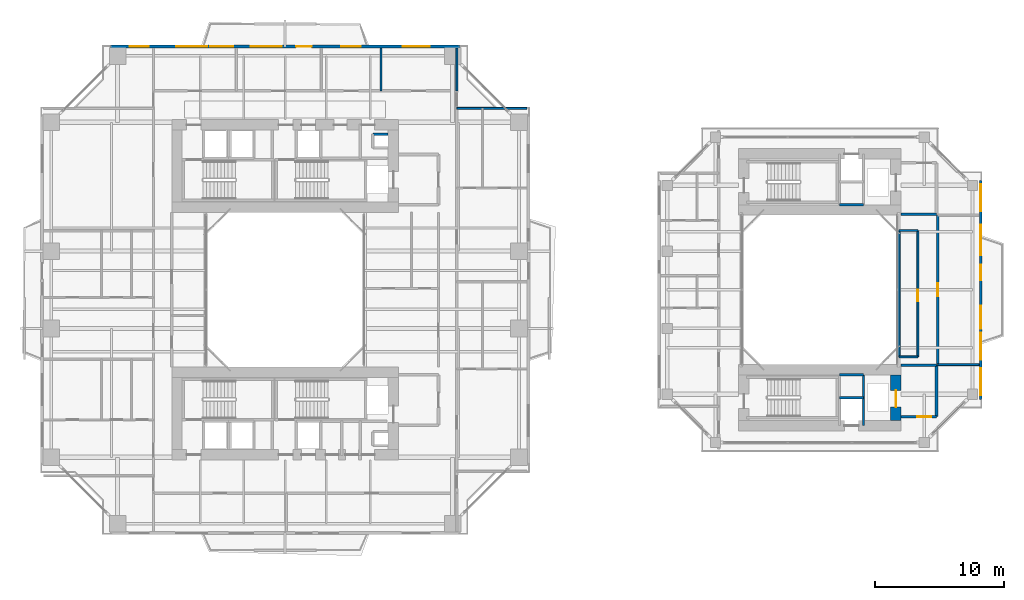
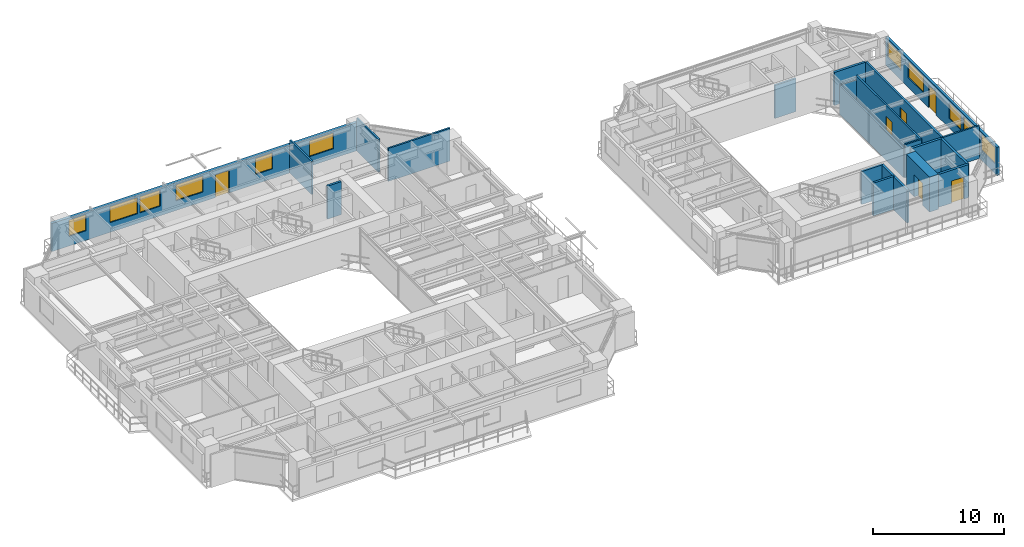
# One storey, part 17 of 23: 21 walls, 11 windows, 6 doors, 17 openings.
"""IFC4 building model written with IfcOpenShell, lengths in metres."""

from ifc_helpers import new_model, si_unit, direction, frame, frame_2d, origin, place, context, subcontext, project, spatial, rectangle, extrude, source, transform, mapped, material, layer, layer_set, type_object, element, fill, save


model = new_model("IFC4")

# Units and contexts
model_context = context("Model", 3, precision=1e-05, world=origin(), true_north=direction((0.0, 1.0)))
body_context = subcontext(model_context, "Body", "Model", "MODEL_VIEW")
ifc_project = project(units=[si_unit("LENGTHUNIT", "METRE"), si_unit("AREAUNIT", "SQUARE_METRE"), si_unit("VOLUMEUNIT", "CUBIC_METRE"), si_unit("PLANEANGLEUNIT", "RADIAN"), si_unit("MASSUNIT", "GRAM", prefix="KILO"), si_unit("THERMODYNAMICTEMPERATUREUNIT", "KELVIN"), si_unit("POWERUNIT", "WATT")], contexts=[model_context])

# Site, building, storey
site_placement = place(None, origin())
site = spatial("IfcSite", under=ifc_project, at=site_placement, CompositionType="ELEMENT")
building_placement = place(site_placement, origin())
building = spatial("IfcBuilding", under=site, at=building_placement, Name="Qiaomeng Ring Towers", CompositionType="ELEMENT")
storey_placement = place(building_placement, frame((0.0, 0.0, 76.25)))
storey = spatial("IfcBuildingStorey", under=building, at=storey_placement, Name="L21", CompositionType="ELEMENT", Elevation=76.25)

# Wall, openings, windows, door
ifc_material_1 = material(Name="Precast concrete C40", Category="concrete")
ifc_layer_1 = layer(ifc_material_1, 0.25, Name="Precast concrete C40")
ifc_layer_set_1 = layer_set([ifc_layer_1], Name="Precast concrete C40")
wall_type_1 = type_object("IfcWallType", Name="ARC-WL-EW1", PredefinedType="STANDARD", material=ifc_layer_set_1)
wall_1_placement = place(storey_placement, frame((5.449951171875, 41.875, 0.0), z_axis=(0.0, 0.0, 1.0), x_axis=(1.0, 0.0, 0.0)))
wall_1 = element("IfcWall", 1, at=wall_1_placement, inside=storey, type_object=wall_type_1, Name="L21 Tower 1 N Exterior Wall", PredefinedType="STANDARD", context=body_context, shape_type="SweptSolid", body=[
    extrude(rectangle(XDim=27.10009765625, YDim=0.25, at=frame_2d((13.550048828125, 0.0))), origin(), (0.0, 0.0, 1.0), 2.610107421875),
])
opening_1_placement = place(wall_1_placement, frame((14.39990234375, 0.0, 0.0)))
opening_1 = element("IfcOpeningElement", 2, at=opening_1_placement, cuts=wall_1, Name="Opening BD1", PredefinedType="OPENING", context=body_context, shape_type="SweptSolid", body=[
    extrude(rectangle(XDim=1.199951171875, YDim=2.10009765625, at=frame_2d((0.60009765625, 1.050048828125))), frame((0.0, 0.135009765625, 0.0), z_axis=(0.0, -1.0, 0.0), x_axis=(1.0, 0.0, 0.0)), (0.0, 0.0, 1.0), 0.27001953125),
])
opening_2_placement = place(wall_1_placement, frame((1.47998046875, 0.0, 0.89990234375)))
opening_2 = element("IfcOpeningElement", 3, at=opening_2_placement, cuts=wall_1, Name="Opening WN2", PredefinedType="OPENING", context=body_context, shape_type="SweptSolid", body=[
    extrude(rectangle(XDim=1.5, YDim=1.5, at=frame_2d((0.75, 0.75))), frame((0.0, 0.135009765625, 0.0), z_axis=(0.0, -1.0, 0.0), x_axis=(1.0, 0.0, 0.0)), (0.0, 0.0, 1.0), 0.27001953125),
])
opening_3_placement = place(wall_1_placement, frame((7.724609375, 0.0, 0.89990234375)))
opening_3 = element("IfcOpeningElement", 4, at=opening_3_placement, cuts=wall_1, Name="Opening WN1", PredefinedType="OPENING", context=body_context, shape_type="SweptSolid", body=[
    extrude(rectangle(XDim=1.800048828125, YDim=1.5, at=frame_2d((0.89990234375, 0.75))), frame((0.0, 0.135009765625, 0.0), z_axis=(0.0, -1.0, 0.0), x_axis=(1.0, 0.0, 0.0)), (0.0, 0.0, 1.0), 0.27001953125),
])
opening_4_placement = place(wall_1_placement, frame((17.919921875, 0.0, 0.89990234375)))
opening_4 = element("IfcOpeningElement", 5, at=opening_4_placement, cuts=wall_1, Name="Opening WN2", PredefinedType="OPENING", context=body_context, shape_type="SweptSolid", body=[
    extrude(rectangle(XDim=1.5, YDim=1.5, at=frame_2d((0.75, 0.75))), frame((0.0, 0.135009765625, 0.0), z_axis=(0.0, -1.0, 0.0), x_axis=(1.0, 0.0, 0.0)), (0.0, 0.0, 1.0), 0.27001953125),
])
opening_5_placement = place(wall_1_placement, frame((22.6630859375, 0.0, 0.89990234375)))
opening_5 = element("IfcOpeningElement", 6, at=opening_5_placement, cuts=wall_1, Name="Opening WN4", PredefinedType="OPENING", context=body_context, shape_type="SweptSolid", body=[
    extrude(rectangle(XDim=2.10009765625, YDim=1.47998046875, at=frame_2d((1.050048828125, 0.739990234375))), frame((0.0, 0.135009765625, 0.0), z_axis=(0.0, -1.0, 0.0), x_axis=(1.0, 0.0, 0.0)), (0.0, 0.0, 1.0), 0.27001953125),
])
opening_6_placement = place(wall_1_placement, frame((5.114013671875, 0.0, 0.89990234375)))
opening_6 = element("IfcOpeningElement", 7, at=opening_6_placement, cuts=wall_1, Name="Opening WN6", PredefinedType="OPENING", context=body_context, shape_type="SweptSolid", body=[
    extrude(rectangle(XDim=2.39990234375, YDim=1.5, at=frame_2d((1.199951171875, 0.75))), frame((0.0, 0.135009765625, 0.0), z_axis=(0.0, -1.0, 0.0), x_axis=(1.0, 0.0, 0.0)), (0.0, 0.0, 1.0), 0.27001953125),
])
opening_7_placement = place(wall_1_placement, frame((10.892578125, 0.0, 0.89990234375)))
opening_7 = element("IfcOpeningElement", 8, at=opening_7_placement, cuts=wall_1, Name="Opening WN6", PredefinedType="OPENING", context=body_context, shape_type="SweptSolid", body=[
    extrude(rectangle(XDim=2.39990234375, YDim=1.5, at=frame_2d((1.199951171875, 0.75))), frame((0.0, 0.135009765625, 0.0), z_axis=(0.0, -1.0, 0.0), x_axis=(1.0, 0.0, 0.0)), (0.0, 0.0, 1.0), 0.27001953125),
])
ifc_material_2 = material(Name="Low-E dark-grey laminated double glazing", Category="glass")
window_type_1 = type_object("IfcWindowType", Name="ARC-WN-4", PartitioningType="TRIPLE_PANEL_VERTICAL", PredefinedType="WINDOW", material=ifc_material_2)
shared_shape_1 = source(origin(), body_context, "Body", "SweptSolid", [
    extrude(rectangle(XDim=2.10009765625, YDim=1.47998046875, at=frame_2d((1.050048828125, 0.739990234375))), frame((0.0, 0.030029296875, 0.0), z_axis=(0.0, -1.0, 0.0), x_axis=(1.0, 0.0, 0.0)), (0.0, 0.0, 1.0), 0.06005859375),
])
window_1_placement = place(opening_5_placement, origin())
window_1 = element("IfcWindow", 9, at=window_1_placement, inside=storey, type_object=window_type_1, Name="L21 Exterior Window WN4", OverallHeight=1.47998046875, OverallWidth=2.10009765625, PartitioningType="TRIPLE_PANEL_VERTICAL", PredefinedType="WINDOW", context=body_context, shape_type="MappedRepresentation", body=[
    mapped(shared_shape_1, transform((0.0, 0.0, 0.0), x_axis=(1.0, 0.0, 0.0), y_axis=(0.0, 1.0, 0.0), z_axis=(0.0, 0.0, 1.0), scale=1.0)),
])
fill(opening_5, window_1)
door_type_1 = type_object("IfcDoorType", Name="ARC-DR-BD1", OperationType="NOTDEFINED", PredefinedType="DOOR", material=ifc_material_2)
shared_shape_2 = source(origin(), body_context, "Body", "SweptSolid", [
    extrude(rectangle(XDim=1.199951171875, YDim=2.10009765625, at=frame_2d((0.60009765625, 1.050048828125))), frame((0.0, 0.02490234375, 0.0), z_axis=(0.0, -1.0, 0.0), x_axis=(1.0, 0.0, 0.0)), (0.0, 0.0, 1.0), 0.050048828125),
])
door_1_placement = place(opening_1_placement, origin())
door_1 = element("IfcDoor", 10, at=door_1_placement, inside=storey, type_object=door_type_1, Name="L21 N Balcony Glazed Door", OperationType="SINGLE_SWING_LEFT", OverallHeight=2.10009765625, OverallWidth=1.199951171875, PredefinedType="DOOR", context=body_context, shape_type="MappedRepresentation", body=[
    mapped(shared_shape_2, transform((0.0, 0.0, 0.0), x_axis=(1.0, 0.0, 0.0), y_axis=(0.0, 1.0, 0.0), z_axis=(0.0, 0.0, 1.0), scale=1.0)),
])
fill(opening_1, door_1)
window_type_2 = type_object("IfcWindowType", Name="ARC-WN-2", PartitioningType="DOUBLE_PANEL_VERTICAL", PredefinedType="WINDOW", material=ifc_material_2)
shared_shape_3 = source(origin(), body_context, "Body", "SweptSolid", [
    extrude(rectangle(XDim=1.5, YDim=1.5, at=frame_2d((0.75, 0.75))), frame((0.0, 0.030029296875, 0.0), z_axis=(0.0, -1.0, 0.0), x_axis=(1.0, 0.0, 0.0)), (0.0, 0.0, 1.0), 0.06005859375),
])
window_2_placement = place(opening_2_placement, origin())
window_2 = element("IfcWindow", 11, at=window_2_placement, inside=storey, type_object=window_type_2, Name="L21 Exterior Window WN6", OverallHeight=1.5, OverallWidth=1.5, PartitioningType="TRIPLE_PANEL_VERTICAL", PredefinedType="WINDOW", context=body_context, shape_type="MappedRepresentation", body=[
    mapped(shared_shape_3, transform((0.0, 0.0, 0.0), x_axis=(1.0, 0.0, 0.0), y_axis=(0.0, 1.0, 0.0), z_axis=(0.0, 0.0, 1.0), scale=1.0)),
])
fill(opening_2, window_2)
window_3_placement = place(opening_4_placement, origin())
window_3 = element("IfcWindow", 12, at=window_3_placement, inside=storey, type_object=window_type_2, Name="L21 Exterior Window WN2", OverallHeight=1.5, OverallWidth=1.5, PartitioningType="DOUBLE_PANEL_VERTICAL", PredefinedType="WINDOW", context=body_context, shape_type="MappedRepresentation", body=[
    mapped(shared_shape_3, transform((0.0, 0.0, 0.0), x_axis=(1.0, 0.0, 0.0), y_axis=(0.0, 1.0, 0.0), z_axis=(0.0, 0.0, 1.0), scale=1.0)),
])
fill(opening_4, window_3)
window_type_3 = type_object("IfcWindowType", Name="ARC-WN-6", PartitioningType="TRIPLE_PANEL_VERTICAL", PredefinedType="WINDOW", material=ifc_material_2)
shared_shape_4 = source(origin(), body_context, "Body", "SweptSolid", [
    extrude(rectangle(XDim=2.39990234375, YDim=1.5, at=frame_2d((1.199951171875, 0.75))), frame((0.0, 0.030029296875, 0.0), z_axis=(0.0, -1.0, 0.0), x_axis=(1.0, 0.0, 0.0)), (0.0, 0.0, 1.0), 0.06005859375),
])
window_4_placement = place(opening_6_placement, origin())
window_4 = element("IfcWindow", 13, at=window_4_placement, inside=storey, type_object=window_type_3, Name="L21 Exterior Window WN6", OverallHeight=1.5, OverallWidth=2.39990234375, PartitioningType="TRIPLE_PANEL_VERTICAL", PredefinedType="WINDOW", context=body_context, shape_type="MappedRepresentation", body=[
    mapped(shared_shape_4, transform((0.0, 0.0, 0.0), x_axis=(1.0, 0.0, 0.0), y_axis=(0.0, 1.0, 0.0), z_axis=(0.0, 0.0, 1.0), scale=1.0)),
])
fill(opening_6, window_4)
window_5_placement = place(opening_7_placement, origin())
window_5 = element("IfcWindow", 14, at=window_5_placement, inside=storey, type_object=window_type_3, Name="L21 Exterior Window WN6", OverallHeight=1.5, OverallWidth=2.39990234375, PartitioningType="TRIPLE_PANEL_VERTICAL", PredefinedType="WINDOW", context=body_context, shape_type="MappedRepresentation", body=[
    mapped(shared_shape_4, transform((0.0, 0.0, 0.0), x_axis=(1.0, 0.0, 0.0), y_axis=(0.0, 1.0, 0.0), z_axis=(0.0, 0.0, 1.0), scale=1.0)),
])
fill(opening_7, window_5)
window_type_4 = type_object("IfcWindowType", Name="ARC-WN-1", PartitioningType="DOUBLE_PANEL_VERTICAL", PredefinedType="WINDOW", material=ifc_material_2)
shared_shape_5 = source(origin(), body_context, "Body", "SweptSolid", [
    extrude(rectangle(XDim=1.800048828125, YDim=1.5, at=frame_2d((0.89990234375, 0.75))), frame((0.0, 0.030029296875, 0.0), z_axis=(0.0, -1.0, 0.0), x_axis=(1.0, 0.0, 0.0)), (0.0, 0.0, 1.0), 0.06005859375),
])
window_6_placement = place(opening_3_placement, origin())
window_6 = element("IfcWindow", 15, at=window_6_placement, inside=storey, type_object=window_type_4, Name="L21 Exterior Window WN1", OverallHeight=1.5, OverallWidth=1.800048828125, PartitioningType="DOUBLE_PANEL_VERTICAL", PredefinedType="WINDOW", context=body_context, shape_type="MappedRepresentation", body=[
    mapped(shared_shape_5, transform((0.0, 0.0, 0.0), x_axis=(1.0, 0.0, 0.0), y_axis=(0.0, 1.0, 0.0), z_axis=(0.0, 0.0, 1.0), scale=1.0)),
])
fill(opening_3, window_6)

ifc_layer_2 = layer(ifc_material_1, 0.219970703125, Name="Precast concrete C40")
ifc_layer_set_2 = layer_set([ifc_layer_2], Name="Precast concrete C40")
wall_type_2 = type_object("IfcWallType", Name="ARC-WL-EW2", PredefinedType="STANDARD", material=ifc_layer_set_2)
wall_2_placement = place(storey_placement, frame((72.989990234375, 14.5, 0.0), z_axis=(0.0, 0.0, 1.0), x_axis=(0.0, 1.0, 0.0)))
wall_2 = element("IfcWall", 16, at=wall_2_placement, inside=storey, type_object=wall_type_2, Name="L21 Companion East Wall", PredefinedType="STANDARD", context=body_context, shape_type="SweptSolid", body=[
    extrude(rectangle(XDim=17.0, YDim=0.219970703125, at=frame_2d((8.5, 0.0))), origin(), (0.0, 0.0, 1.0), 2.610107421875),
])
opening_8_placement = place(wall_2_placement, frame((9.25, 0.0, 0.0)))
opening_8 = element("IfcOpeningElement", 17, at=opening_8_placement, cuts=wall_2, Name="Opening BD1", PredefinedType="OPENING", context=body_context, shape_type="SweptSolid", body=[
    extrude(rectangle(XDim=1.199951171875, YDim=2.10009765625, at=frame_2d((0.60009765625, 1.050048828125))), frame((0.0, 0.119873046875, 0.0), z_axis=(0.0, -1.0, 0.0), x_axis=(1.0, 0.0, 0.0)), (0.0, 0.0, 1.0), 0.239990234375),
])
opening_9_placement = place(wall_2_placement, frame((0.3076171875, 0.0, 0.89990234375)))
opening_9 = element("IfcOpeningElement", 18, at=opening_9_placement, cuts=wall_2, Name="Opening WN4", PredefinedType="OPENING", context=body_context, shape_type="SweptSolid", body=[
    extrude(rectangle(XDim=2.10009765625, YDim=1.5, at=frame_2d((1.050048828125, 0.75))), frame((0.0, 0.119873046875, 0.0), z_axis=(0.0, -1.0, 0.0), x_axis=(1.0, 0.0, 0.0)), (0.0, 0.0, 1.0), 0.239990234375),
])
opening_10_placement = place(wall_2_placement, frame((5.47509765625, 0.0, 0.89990234375)))
opening_10 = element("IfcOpeningElement", 19, at=opening_10_placement, cuts=wall_2, Name="Opening WN1", PredefinedType="OPENING", context=body_context, shape_type="SweptSolid", body=[
    extrude(rectangle(XDim=1.800048828125, YDim=1.449951171875, at=frame_2d((0.89990234375, 0.72509765625))), frame((0.0, 0.119873046875, 0.0), z_axis=(0.0, -1.0, 0.0), x_axis=(1.0, 0.0, 0.0)), (0.0, 0.0, 1.0), 0.239990234375),
])
opening_11_placement = place(wall_2_placement, frame((14.592529296875, 0.0, 0.89990234375)))
opening_11 = element("IfcOpeningElement", 20, at=opening_11_placement, cuts=wall_2, Name="Opening WN4", PredefinedType="OPENING", context=body_context, shape_type="SweptSolid", body=[
    extrude(rectangle(XDim=2.10009765625, YDim=1.5, at=frame_2d((1.050048828125, 0.75))), frame((0.0, 0.119873046875, 0.0), z_axis=(0.0, -1.0, 0.0), x_axis=(1.0, 0.0, 0.0)), (0.0, 0.0, 1.0), 0.239990234375),
])
opening_12_placement = place(wall_2_placement, frame((3.054931640625, 0.0, 0.89990234375)))
opening_12 = element("IfcOpeningElement", 21, at=opening_12_placement, cuts=wall_2, Name="Opening WN4", PredefinedType="OPENING", context=body_context, shape_type="SweptSolid", body=[
    extrude(rectangle(XDim=2.10009765625, YDim=1.5, at=frame_2d((1.050048828125, 0.75))), frame((0.0, 0.119873046875, 0.0), z_axis=(0.0, -1.0, 0.0), x_axis=(1.0, 0.0, 0.0)), (0.0, 0.0, 1.0), 0.239990234375),
])
opening_13_placement = place(wall_2_placement, frame((11.16748046875, 0.0, 0.89990234375)))
opening_13 = element("IfcOpeningElement", 22, at=opening_13_placement, cuts=wall_2, Name="Opening WN6", PredefinedType="OPENING", context=body_context, shape_type="SweptSolid", body=[
    extrude(rectangle(XDim=2.39990234375, YDim=1.5, at=frame_2d((1.199951171875, 0.75))), frame((0.0, 0.119873046875, 0.0), z_axis=(0.0, -1.0, 0.0), x_axis=(1.0, 0.0, 0.0)), (0.0, 0.0, 1.0), 0.239990234375),
])
shared_shape_6 = source(origin(), body_context, "Body", "SweptSolid", [
    extrude(rectangle(XDim=2.10009765625, YDim=1.5, at=frame_2d((1.050048828125, 0.75))), frame((0.0, 0.030029296875, 0.0), z_axis=(0.0, -1.0, 0.0), x_axis=(1.0, 0.0, 0.0)), (0.0, 0.0, 1.0), 0.06005859375),
])
window_7_placement = place(opening_9_placement, origin())
window_7 = element("IfcWindow", 23, at=window_7_placement, inside=storey, type_object=window_type_1, Name="L21 Exterior Window WN6", OverallHeight=1.5, OverallWidth=2.10009765625, PartitioningType="TRIPLE_PANEL_VERTICAL", PredefinedType="WINDOW", context=body_context, shape_type="MappedRepresentation", body=[
    mapped(shared_shape_6, transform((0.0, 0.0, 0.0), x_axis=(1.0, 0.0, 0.0), y_axis=(0.0, 1.0, 0.0), z_axis=(0.0, 0.0, 1.0), scale=1.0)),
])
fill(opening_9, window_7)
window_8_placement = place(opening_11_placement, origin())
window_8 = element("IfcWindow", 24, at=window_8_placement, inside=storey, type_object=window_type_1, Name="L21 Exterior Window WN4", OverallHeight=1.5, OverallWidth=2.10009765625, PartitioningType="TRIPLE_PANEL_VERTICAL", PredefinedType="WINDOW", context=body_context, shape_type="MappedRepresentation", body=[
    mapped(shared_shape_6, transform((0.0, 0.0, 0.0), x_axis=(1.0, 0.0, 0.0), y_axis=(0.0, 1.0, 0.0), z_axis=(0.0, 0.0, 1.0), scale=1.0)),
])
fill(opening_11, window_8)
window_9_placement = place(opening_12_placement, origin())
window_9 = element("IfcWindow", 25, at=window_9_placement, inside=storey, type_object=window_type_1, Name="L21 Exterior Window WN4", OverallHeight=1.5, OverallWidth=2.10009765625, PartitioningType="TRIPLE_PANEL_VERTICAL", PredefinedType="WINDOW", context=body_context, shape_type="MappedRepresentation", body=[
    mapped(shared_shape_6, transform((0.0, 0.0, 0.0), x_axis=(1.0, 0.0, 0.0), y_axis=(0.0, 1.0, 0.0), z_axis=(0.0, 0.0, 1.0), scale=1.0)),
])
fill(opening_12, window_9)
shared_shape_7 = source(origin(), body_context, "Body", "SweptSolid", [
    extrude(rectangle(XDim=1.800048828125, YDim=1.449951171875, at=frame_2d((0.89990234375, 0.72509765625))), frame((0.0, 0.030029296875, 0.0), z_axis=(0.0, -1.0, 0.0), x_axis=(1.0, 0.0, 0.0)), (0.0, 0.0, 1.0), 0.06005859375),
])
window_10_placement = place(opening_10_placement, origin())
window_10 = element("IfcWindow", 26, at=window_10_placement, inside=storey, type_object=window_type_4, Name="L21 Exterior Window WN1", OverallHeight=1.449951171875, OverallWidth=1.800048828125, PartitioningType="DOUBLE_PANEL_VERTICAL", PredefinedType="WINDOW", context=body_context, shape_type="MappedRepresentation", body=[
    mapped(shared_shape_7, transform((0.0, 0.0, 0.0), x_axis=(1.0, 0.0, 0.0), y_axis=(0.0, 1.0, 0.0), z_axis=(0.0, 0.0, 1.0), scale=1.0)),
])
fill(opening_10, window_10)
door_2_placement = place(opening_8_placement, origin())
door_2 = element("IfcDoor", 27, at=door_2_placement, inside=storey, type_object=door_type_1, Name="L21 Companion East Balcony Door", OperationType="SINGLE_SWING_LEFT", OverallHeight=2.10009765625, OverallWidth=1.199951171875, PredefinedType="DOOR", context=body_context, shape_type="MappedRepresentation", body=[
    mapped(shared_shape_2, transform((0.0, 0.0, 0.0), x_axis=(1.0, 0.0, 0.0), y_axis=(0.0, 1.0, 0.0), z_axis=(0.0, 0.0, 1.0), scale=1.0)),
])
fill(opening_8, door_2)
window_11_placement = place(opening_13_placement, origin())
window_11 = element("IfcWindow", 28, at=window_11_placement, inside=storey, type_object=window_type_3, Name="L21 Exterior Window WN6", OverallHeight=1.5, OverallWidth=2.39990234375, PartitioningType="TRIPLE_PANEL_VERTICAL", PredefinedType="WINDOW", context=body_context, shape_type="MappedRepresentation", body=[
    mapped(shared_shape_4, transform((0.0, 0.0, 0.0), x_axis=(1.0, 0.0, 0.0), y_axis=(0.0, 1.0, 0.0), z_axis=(0.0, 0.0, 1.0), scale=1.0)),
])
fill(opening_13, window_11)

# Walls
ifc_material_3 = material(Name="Autoclaved aerated concrete block", Category="concrete")
ifc_layer_3 = layer(ifc_material_3, 0.199951171875, Name="Autoclaved aerated concrete block")
ifc_layer_set_3 = layer_set([ifc_layer_3], Name="Autoclaved aerated concrete block")
wall_type_3 = type_object("IfcWallType", Name="ARC-WL-PW1", PredefinedType="PARTITIONING", material=ifc_layer_set_3)
for number, where, z_axis, x_axis, name in (
    (29, (66.800048828125, 28.85009765625, 0.0), (0.0, 0.0, 1.0), (1.0, 0.0, 0.0), "L21 Interior Wall PW1"),
    (30, (66.800048828125, 17.14990234375, 0.0), (0.0, 0.0, 1.0), (1.0, 0.0, 0.0), "L21 Interior Wall PW1"),
):
    element("IfcWall", number, at=place(storey_placement, frame(where, z_axis=z_axis, x_axis=x_axis)), inside=storey, type_object=wall_type_3, Name=name, PredefinedType="PARTITIONING", context=body_context, shape_type="SweptSolid", body=[
        extrude(rectangle(XDim=2.75, YDim=0.199951171875, at=frame_2d((1.375, 0.0))), origin(), (0.0, 0.0, 1.0), 3.070068359375),
    ])
wall_3_placement = place(storey_placement, frame((69.550048828125, 13.14990234375, 0.0), z_axis=(0.0, 0.0, 1.0), x_axis=(0.0, 1.0, 0.0)))
element("IfcWall", 31, at=wall_3_placement, inside=storey, type_object=wall_type_3, Name="L21 Interior Wall PW1", PredefinedType="PARTITIONING", context=body_context, shape_type="SweptSolid", body=[
    extrude(rectangle(XDim=4.0, YDim=0.199951171875, at=frame_2d((2.0, 0.0))), origin(), (0.0, 0.0, 1.0), 3.070068359375),
])

# Wall, opening, door
wall_4_placement = place(storey_placement, frame((66.800048828125, 13.14990234375, 0.0), z_axis=(0.0, 0.0, 1.0), x_axis=(1.0, 0.0, 0.0)))
wall_4 = element("IfcWall", 32, at=wall_4_placement, inside=storey, type_object=wall_type_3, Name="L21 Interior Wall PW1", PredefinedType="PARTITIONING", context=body_context, shape_type="SweptSolid", body=[
    extrude(rectangle(XDim=2.75, YDim=0.199951171875, at=frame_2d((1.375, 0.0))), origin(), (0.0, 0.0, 1.0), 3.070068359375),
])
opening_14_placement = place(wall_4_placement, frame((1.25, 0.0, 0.0)))
opening_14 = element("IfcOpeningElement", 33, at=opening_14_placement, cuts=wall_4, Name="Opening FD3", PredefinedType="OPENING", context=body_context, shape_type="SweptSolid", body=[
    extrude(rectangle(XDim=1.10009765625, YDim=2.050048828125, at=frame_2d((0.550048828125, 1.02490234375))), frame((0.0, 0.10986328125, 0.0), z_axis=(0.0, -1.0, 0.0), x_axis=(1.0, 0.0, 0.0)), (0.0, 0.0, 1.0), 0.219970703125),
])
ifc_material_4 = material(Name="Galvanised steel", Category="steel")
door_type_2 = type_object("IfcDoorType", Name="ARC-DR-FD3", OperationType="NOTDEFINED", PredefinedType="DOOR", material=ifc_material_4)
shared_shape_8 = source(origin(), body_context, "Body", "SweptSolid", [
    extrude(rectangle(XDim=1.10009765625, YDim=2.050048828125, at=frame_2d((0.550048828125, 1.02490234375))), frame((0.0, 0.02490234375, 0.0), z_axis=(0.0, -1.0, 0.0), x_axis=(1.0, 0.0, 0.0)), (0.0, 0.0, 1.0), 0.050048828125),
])
door_3_placement = place(opening_14_placement, origin())
door_3 = element("IfcDoor", 34, at=door_3_placement, inside=storey, type_object=door_type_2, Name="L21 Door FD3", OperationType="SINGLE_SWING_RIGHT", OverallHeight=2.050048828125, OverallWidth=1.10009765625, PredefinedType="DOOR", context=body_context, shape_type="MappedRepresentation", body=[
    mapped(shared_shape_8, transform((0.0, 0.0, 0.0), x_axis=(1.0, 0.0, 0.0), y_axis=(0.0, 1.0, 0.0), z_axis=(0.0, 0.0, 1.0), scale=1.0)),
])
fill(opening_14, door_3)

ifc_layer_4 = layer(ifc_material_3, 0.179931640625, Name="Autoclaved aerated concrete block")
ifc_layer_set_4 = layer_set([ifc_layer_4], Name="Autoclaved aerated concrete block")
wall_type_4 = type_object("IfcWallType", Name="ARC-WL-PW2", PredefinedType="PARTITIONING", material=ifc_layer_set_4)
wall_5_placement = place(storey_placement, frame((69.64990234375, 17.199951171875, 0.0), z_axis=(0.0, 0.0, 1.0), x_axis=(0.0, 1.0, 0.0)))
wall_5 = element("IfcWall", 35, at=wall_5_placement, inside=storey, type_object=wall_type_4, Name="L21 Interior Wall PW2", PredefinedType="PARTITIONING", context=body_context, shape_type="SweptSolid", body=[
    extrude(rectangle(XDim=11.60009765625, YDim=0.179931640625, at=frame_2d((5.800048828125, 0.0))), origin(), (0.0, 0.0, 1.0), 3.070068359375),
])
opening_15_placement = place(wall_5_placement, frame((5.300048828125, 0.0, 0.0)))
opening_15 = element("IfcOpeningElement", 36, at=opening_15_placement, cuts=wall_5, Name="Opening FD4", PredefinedType="OPENING", context=body_context, shape_type="SweptSolid", body=[
    extrude(rectangle(XDim=1.0, YDim=2.050048828125, at=frame_2d((0.5, 1.02490234375))), frame((0.0, 0.099853515625, 0.0), z_axis=(0.0, -1.0, 0.0), x_axis=(1.0, 0.0, 0.0)), (0.0, 0.0, 1.0), 0.199951171875),
])
ifc_material_5 = material(Name="Engineered fire-rated oak timber", Category="wood")
door_type_3 = type_object("IfcDoorType", Name="ARC-DR-FD4", OperationType="NOTDEFINED", PredefinedType="DOOR", material=ifc_material_5)
shared_shape_9 = source(origin(), body_context, "Body", "SweptSolid", [
    extrude(rectangle(XDim=1.0, YDim=2.050048828125, at=frame_2d((0.5, 1.02490234375))), frame((0.0, 0.02490234375, 0.0), z_axis=(0.0, -1.0, 0.0), x_axis=(1.0, 0.0, 0.0)), (0.0, 0.0, 1.0), 0.050048828125),
])
door_4_placement = place(opening_15_placement, origin())
door_4 = element("IfcDoor", 37, at=door_4_placement, inside=storey, type_object=door_type_3, Name="L21 Door FD4", OperationType="SINGLE_SWING_RIGHT", OverallHeight=2.050048828125, OverallWidth=1.0, PredefinedType="DOOR", context=body_context, shape_type="MappedRepresentation", body=[
    mapped(shared_shape_9, transform((0.0, 0.0, 0.0), x_axis=(1.0, 0.0, 0.0), y_axis=(0.0, 1.0, 0.0), z_axis=(0.0, 0.0, 1.0), scale=1.0)),
])
fill(opening_15, door_4)

# Walls
ifc_material_6 = material(Name="Gypsum fireboard steel-stud partition", Category="steel")
ifc_layer_5 = layer(ifc_material_6, 0.14990234375, Name="Gypsum fireboard steel-stud partition")
ifc_layer_set_5 = layer_set([ifc_layer_5], Name="Gypsum fireboard steel-stud partition")
wall_type_5 = type_object("IfcWallType", Name="ARC-WL-PW3", PredefinedType="PARTITIONING", material=ifc_layer_set_5)
for number, where, z_axis, x_axis, name in (
    (38, (26.43994140625, 38.43994140625, 0.0), (0.0, 0.0, 1.0), (0.0, 1.0, 0.0), "L21 Interior Wall PW3"),
    (39, (32.320068359375, 38.43994140625, 0.0), (0.0, 0.0, 1.0), (0.0, 1.0, 0.0), "L21 Interior Wall PW3"),
):
    element("IfcWall", number, at=place(storey_placement, frame(where, z_axis=z_axis, x_axis=x_axis)), inside=storey, type_object=wall_type_5, Name=name, PredefinedType="PARTITIONING", context=body_context, shape_type="SweptSolid", body=[
        extrude(rectangle(XDim=3.31005859375, YDim=0.14990234375, at=frame_2d((1.655029296875, 0.0))), origin(), (0.0, 0.0, 1.0), 3.070068359375),
    ])
wall_6_placement = place(storey_placement, frame((32.320068359375, 37.080078125, 0.0), z_axis=(0.0, 0.0, 1.0), x_axis=(1.0, 0.0, 0.0)))
element("IfcWall", 40, at=wall_6_placement, inside=storey, type_object=wall_type_5, Name="L21 Interior Wall PW3", PredefinedType="PARTITIONING", context=body_context, shape_type="SweptSolid", body=[
    extrude(rectangle(XDim=5.429931640625, YDim=0.14990234375, at=frame_2d((2.71484375, 0.0))), origin(), (0.0, 0.0, 1.0), 3.070068359375),
])
wall_7_placement = place(storey_placement, frame((69.64990234375, 17.199951171875, 0.0), z_axis=(0.0, 0.0, 1.0), x_axis=(1.0, 0.0, 0.0)))
element("IfcWall", 41, at=wall_7_placement, inside=storey, type_object=wall_type_5, Name="L21 Interior Wall PW3", PredefinedType="PARTITIONING", context=body_context, shape_type="SweptSolid", body=[
    extrude(rectangle(XDim=3.2001953125, YDim=0.14990234375, at=frame_2d((1.60009765625, 0.0))), origin(), (0.0, 0.0, 1.0), 3.070068359375),
])

# Wall, opening, door
wall_8_placement = place(storey_placement, frame((68.10009765625, 17.800048828125, 0.0), z_axis=(0.0, 0.0, 1.0), x_axis=(0.0, 1.0, 0.0)))
wall_8 = element("IfcWall", 42, at=wall_8_placement, inside=storey, type_object=wall_type_5, Name="L21 Interior Wall PW3", PredefinedType="PARTITIONING", context=body_context, shape_type="SweptSolid", body=[
    extrude(rectangle(XDim=9.800048828125, YDim=0.14990234375, at=frame_2d((4.89990234375, 0.0))), origin(), (0.0, 0.0, 1.0), 3.070068359375),
])
opening_16_placement = place(wall_8_placement, frame((4.300048828125, 0.0, 0.0)))
opening_16 = element("IfcOpeningElement", 43, at=opening_16_placement, cuts=wall_8, Name="Opening ID1", PredefinedType="OPENING", context=body_context, shape_type="SweptSolid", body=[
    extrude(rectangle(XDim=0.89990234375, YDim=2.050048828125, at=frame_2d((0.449951171875, 1.02490234375))), frame((0.0, 0.0849609375, 0.0), z_axis=(0.0, -1.0, 0.0), x_axis=(1.0, 0.0, 0.0)), (0.0, 0.0, 1.0), 0.169921875),
])
ifc_material_7 = material(Name="Engineered oak timber", Category="wood")
door_type_4 = type_object("IfcDoorType", Name="ARC-DR-ID1", OperationType="NOTDEFINED", PredefinedType="DOOR", material=ifc_material_7)
shared_shape_10 = source(origin(), body_context, "Body", "SweptSolid", [
    extrude(rectangle(XDim=0.89990234375, YDim=2.050048828125, at=frame_2d((0.449951171875, 1.02490234375))), frame((0.0, 0.02490234375, 0.0), z_axis=(0.0, -1.0, 0.0), x_axis=(1.0, 0.0, 0.0)), (0.0, 0.0, 1.0), 0.050048828125),
])
door_5_placement = place(opening_16_placement, origin())
door_5 = element("IfcDoor", 44, at=door_5_placement, inside=storey, type_object=door_type_4, Name="L21 Door ID1", OperationType="SINGLE_SWING_LEFT", OverallHeight=2.050048828125, OverallWidth=0.89990234375, PredefinedType="DOOR", context=body_context, shape_type="MappedRepresentation", body=[
    mapped(shared_shape_10, transform((0.0, 0.0, 0.0), x_axis=(1.0, 0.0, 0.0), y_axis=(0.0, 1.0, 0.0), z_axis=(0.0, 0.0, 1.0), scale=1.0)),
])
fill(opening_16, door_5)

# Walls
wall_9_placement = place(storey_placement, frame((66.64990234375, 27.60009765625, 0.0), z_axis=(0.0, 0.0, 1.0), x_axis=(1.0, 0.0, 0.0)))
element("IfcWall", 45, at=wall_9_placement, inside=storey, type_object=wall_type_5, Name="L21 Interior Wall PW3", PredefinedType="PARTITIONING", context=body_context, shape_type="SweptSolid", body=[
    extrude(rectangle(XDim=1.4501953125, YDim=0.14990234375, at=frame_2d((0.72509765625, 0.0))), origin(), (0.0, 0.0, 1.0), 2.715087890625),
])
wall_10_placement = place(storey_placement, frame((66.64990234375, 17.800048828125, 0.0), z_axis=(0.0, 0.0, 1.0), x_axis=(1.0, 0.0, 0.0)))
element("IfcWall", 46, at=wall_10_placement, inside=storey, type_object=wall_type_5, Name="L21 Interior Wall PW3", PredefinedType="PARTITIONING", context=body_context, shape_type="SweptSolid", body=[
    extrude(rectangle(XDim=1.4501953125, YDim=0.14990234375, at=frame_2d((0.72509765625, 0.0))), origin(), (0.0, 0.0, 1.0), 3.070068359375),
])
wall_11_placement = place(storey_placement, frame((66.64990234375, 17.800048828125, 0.0), z_axis=(0.0, 0.0, 1.0), x_axis=(0.0, 1.0, 0.0)))
element("IfcWall", 47, at=wall_11_placement, inside=storey, type_object=wall_type_5, Name="L21 Interior Wall PW3", PredefinedType="PARTITIONING", context=body_context, shape_type="SweptSolid", body=[
    extrude(rectangle(XDim=9.800048828125, YDim=0.14990234375, at=frame_2d((4.89990234375, 0.0))), origin(), (0.0, 0.0, 1.0), 2.6650390625),
])
ifc_material_8 = material(Name="Concrete C40", Category="concrete")
ifc_layer_6 = layer(ifc_material_8, 0.199951171875, Name="Concrete C40")
ifc_layer_set_6 = layer_set([ifc_layer_6], Name="Concrete C40")
wall_type_6 = type_object("IfcWallType", Name="STR-WL-STSHAFT", PredefinedType="SHEAR", material=ifc_layer_set_6)
wall_12_placement = place(storey_placement, frame((25.800048828125, 35.080078125, 0.0), z_axis=(0.0, 0.0, 1.0), x_axis=(1.0, 0.0, 0.0)))
element("IfcWall", 48, at=wall_12_placement, inside=storey, type_object=wall_type_6, Name="L21 Riser RSR1 North Shaft Wall N", PredefinedType="SHEAR", context=body_context, shape_type="SweptSolid", body=[
    extrude(rectangle(XDim=1.199951171875, YDim=0.179931640625, at=frame_2d((0.60009765625, 0.0))), origin(), (0.0, 0.0, 1.0), 3.070068359375),
])
wall_13_placement = place(storey_placement, frame((62.02001953125, 29.60009765625, 0.0), z_axis=(0.0, 0.0, 1.0), x_axis=(1.0, 0.0, 0.0)))
element("IfcWall", 49, at=wall_13_placement, inside=storey, type_object=wall_type_6, Name="L21 Companion Riser Shaft Back Wall N", PredefinedType="SHEAR", context=body_context, shape_type="SweptSolid", body=[
    extrude(rectangle(XDim=1.85986328125, YDim=0.179931640625, at=frame_2d((0.929931640625, 0.0))), origin(), (0.0, 0.0, 1.0), 3.070068359375),
])
wall_14_placement = place(storey_placement, frame((63.8798828125, 12.449951171875, 0.0), z_axis=(0.0, 0.0, 1.0), x_axis=(0.0, 1.0, 0.0)))
element("IfcWall", 50, at=wall_14_placement, inside=storey, type_object=wall_type_6, Name="L21 Companion Lift Shaft East Wall S", PredefinedType="SHEAR", context=body_context, shape_type="SweptSolid", body=[
    extrude(rectangle(XDim=3.949951171875, YDim=0.179931640625, at=frame_2d((1.97509765625, 0.0))), origin(), (0.0, 0.0, 1.0), 3.070068359375),
])
for number, where, z_axis, x_axis, name in (
    (51, (62.02001953125, 14.6201171875, 0.0), (0.0, 0.0, 1.0), (1.0, 0.0, 0.0), "L21 Companion Lift Shaft Divider Wall S"),
    (52, (62.02001953125, 16.39990234375, 0.0), (0.0, 0.0, 1.0), (1.0, 0.0, 0.0), "L21 Companion Riser Shaft Back Wall S"),
):
    element("IfcWall", number, at=place(storey_placement, frame(where, z_axis=z_axis, x_axis=x_axis)), inside=storey, type_object=wall_type_6, Name=name, PredefinedType="SHEAR", context=body_context, shape_type="SweptSolid", body=[
        extrude(rectangle(XDim=1.85986328125, YDim=0.179931640625, at=frame_2d((0.929931640625, 0.0))), origin(), (0.0, 0.0, 1.0), 3.070068359375),
    ])

# Wall, opening, door
ifc_material_9 = material(Name="Concrete C60", Category="concrete")
ifc_layer_7 = layer(ifc_material_9, 0.800048828125, Name="Concrete C60")
ifc_layer_set_7 = layer_set([ifc_layer_7], Name="Concrete C60")
wall_type_7 = type_object("IfcWallType", Name="STR-WL-SW1", PredefinedType="SHEAR", material=ifc_layer_set_7)
wall_15_placement = place(storey_placement, frame((66.39990234375, 12.85009765625, 0.0), z_axis=(0.0, 0.0, 1.0), x_axis=(0.0, 1.0, 0.0)))
wall_15 = element("IfcWall", 53, at=wall_15_placement, inside=storey, type_object=wall_type_7, Name="L21 T2SC east core shear wall", PredefinedType="SHEAR", context=body_context, shape_type="SweptSolid", body=[
    extrude(rectangle(XDim=3.5498046875, YDim=0.800048828125, at=frame_2d((1.77490234375, 0.0))), origin(), (0.0, 0.0, 1.0), 3.25),
])
opening_17_placement = place(wall_15_placement, frame((1.050048828125, 0.0, 0.0)))
opening_17 = element("IfcOpeningElement", 54, at=opening_17_placement, cuts=wall_15, Name="Opening LD2", PredefinedType="OPENING", context=body_context, shape_type="SweptSolid", body=[
    extrude(rectangle(XDim=1.300048828125, YDim=2.050048828125, at=frame_2d((0.64990234375, 1.02490234375))), frame((0.0, 0.409912109375, 0.0), z_axis=(0.0, -1.0, 0.0), x_axis=(1.0, 0.0, 0.0)), (0.0, 0.0, 1.0), 0.820068359375),
])
ifc_material_10 = material(Name="Stainless steel 316", Category="steel")
door_type_5 = type_object("IfcDoorType", Name="ARC-DR-LD2", OperationType="NOTDEFINED", PredefinedType="DOOR", material=ifc_material_10)
shared_shape_11 = source(origin(), body_context, "Body", "SweptSolid", [
    extrude(rectangle(XDim=1.300048828125, YDim=2.050048828125, at=frame_2d((0.64990234375, 1.02490234375))), frame((0.0, 0.02490234375, 0.0), z_axis=(0.0, -1.0, 0.0), x_axis=(1.0, 0.0, 0.0)), (0.0, 0.0, 1.0), 0.050048828125),
])
door_6_placement = place(opening_17_placement, origin())
door_6 = element("IfcDoor", 55, at=door_6_placement, inside=storey, type_object=door_type_5, Name="L21 Firefighting Lift FL4 Landing Door", OperationType="SLIDING_TO_RIGHT", OverallHeight=2.050048828125, OverallWidth=1.300048828125, PredefinedType="DOOR", context=body_context, shape_type="MappedRepresentation", body=[
    mapped(shared_shape_11, transform((0.0, 0.0, 0.0), x_axis=(1.0, 0.0, 0.0), y_axis=(0.0, 1.0, 0.0), z_axis=(0.0, 0.0, 1.0), scale=1.0)),
])
fill(opening_17, door_6)

save(model, "model.ifc")
